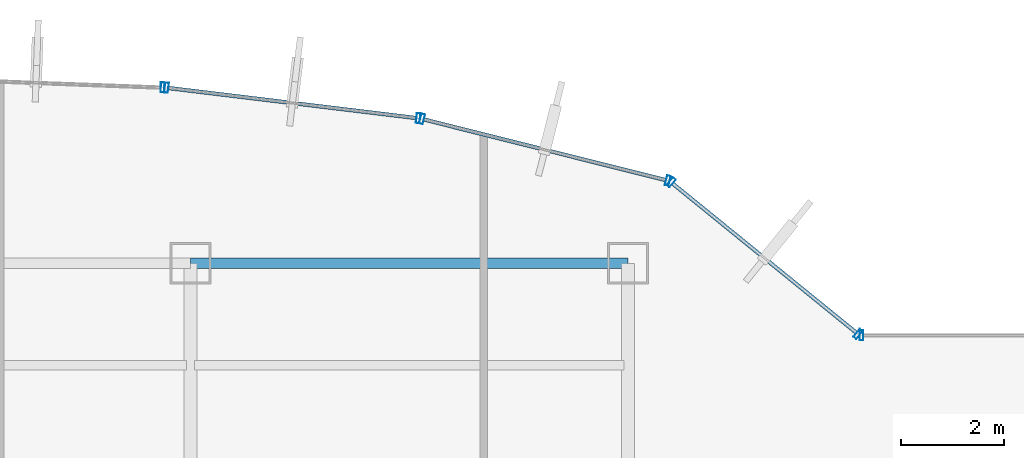
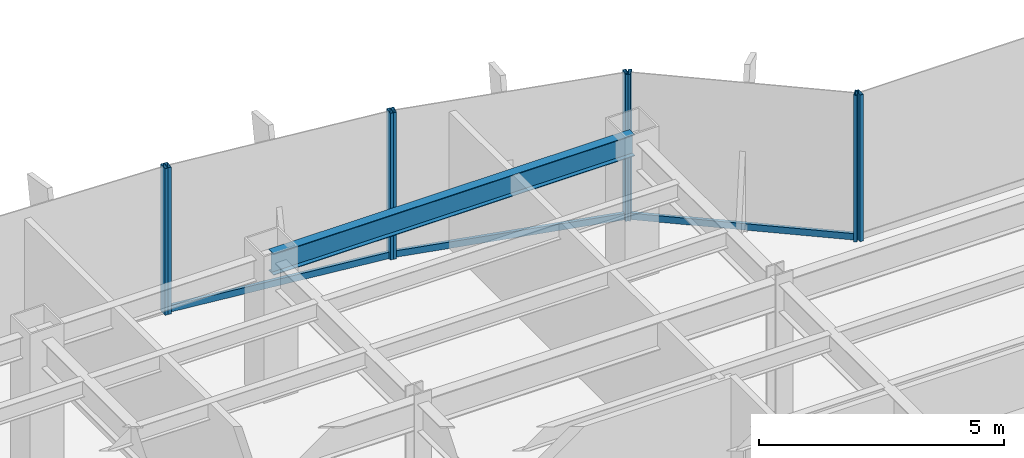
# One storey, part 18 of 26: 11 members, 1 beam, 5 elements without a shape of their own.
"""IFC4 building model written with IfcOpenShell, lengths in metres."""

from ifc_helpers import new_model, si_unit, derived_unit, direction, frame, origin, origin_2d, place, context, subcontext, project, spatial, hollow_rectangle, i_section, extrude, source, transform, mapped, material, material_profile, profile_set, type_object, element, aggregate, save


model = new_model("IFC4")

# Units and contexts
model_context = context("Model", 3, precision=1e-05, world=origin(), true_north=direction((0.0, 1.0)))
body_context = subcontext(model_context, "Body", "Model", "MODEL_VIEW")
ifc_project = project(units=[si_unit("LENGTHUNIT", "METRE"), si_unit("AREAUNIT", "SQUARE_METRE"), si_unit("VOLUMEUNIT", "CUBIC_METRE"), si_unit("PLANEANGLEUNIT", "RADIAN"), si_unit("MASSUNIT", "GRAM", prefix="KILO"), derived_unit("THERMALTRANSMITTANCEUNIT", [(si_unit("POWERUNIT", "WATT"), 1), (si_unit("LENGTHUNIT", "METRE"), -2), (si_unit("THERMODYNAMICTEMPERATUREUNIT", "KELVIN"), -1)])], contexts=[model_context])

# Site, building, storey
site_placement = place(None, origin())
site = spatial("IfcSite", under=ifc_project, at=site_placement, CompositionType="ELEMENT")
building_placement = place(site_placement, origin())
building = spatial("IfcBuilding", under=site, at=building_placement, Name="Skarnbrae Concourse Arena and Tower", CompositionType="ELEMENT")
storey_placement = place(building_placement, frame((0.0, 0.0, 121.5)))
storey = spatial("IfcBuildingStorey", under=building, at=storey_placement, Name="L30", CompositionType="ELEMENT", Elevation=121.5)

# Beam
ifc_material_1 = material(Name="Steel CSA G40.21 350W", Category="steel")
ifc_material_profile_1 = material_profile(ifc_material_1, i_section(OverallWidth=0.208984375, OverallDepth=0.532958984375, WebThickness=0.01025390625, FlangeThickness=0.015625, at=origin_2d()), Name="W530X92")
ifc_profile_set_1 = profile_set([ifc_material_profile_1], Name="Steel CSA G40.21 350W")
beam_type = type_object("IfcBeamType", Name="BM-SPAN-W530X92", PredefinedType="SPANDREL", material=ifc_profile_set_1)
shared_shape_1 = source(origin(), body_context, "Body", "SweptSolid", [
    extrude(i_section(OverallWidth=0.208984375, OverallDepth=0.532958984375, WebThickness=0.01025390625, FlangeThickness=0.015625, at=origin_2d()), origin(), (0.0, 0.0, 1.0), 8.5),
])
beam_placement = place(storey_placement, frame((33.5, 40.39990234375, 3.133544921875), z_axis=(1.0, 0.0, 0.0), x_axis=(0.0, 1.0, 0.0)))
element("IfcBeam", 1, at=beam_placement, inside=storey, type_object=beam_type, Name="L30 Perimeter spandrel Y40.4-4", PredefinedType="SPANDREL", context=body_context, shape_type="MappedRepresentation", body=[
    mapped(shared_shape_1, transform((0.0, 0.0, 0.0))),
])

# Curtain wall, member
ifc_material_2 = material(Name="Bronze anodised aluminium 6063-T6", Category="aluminium")
curtain_wall_type = type_object("IfcCurtainWallType", Name="CW-SYS-04-MIDZONE", PredefinedType="USERDEFINED", material=ifc_material_2)
curtain_wall_1_placement = place(storey_placement, origin())
curtain_wall_1 = element("IfcCurtainWall", 2, at=curtain_wall_1_placement, inside=storey, type_object=curtain_wall_type, Name="L30 Unitised curtain wall CW-L30-E08", ObjectType="UNITISED CURTAIN WALL", PredefinedType="USERDEFINED")
ifc_material_profile_2 = material_profile(ifc_material_2, hollow_rectangle(XDim=0.074951171875, YDim=0.159912109375, WallThickness=0.00439453125, at=origin_2d()), Name="ALU-TRAN-75X160")
ifc_profile_set_2 = profile_set([ifc_material_profile_2], Name="Bronze anodised aluminium 6063-T6")
member_type_1 = type_object("IfcMemberType", Name="CWT-CW-04", PredefinedType="USERDEFINED", material=ifc_profile_set_2)
shared_shape_2 = source(origin(), body_context, "Body", "SweptSolid", [
    extrude(hollow_rectangle(XDim=0.074951171875, YDim=0.159912109375, WallThickness=0.00439453125, at=origin_2d()), origin(), (0.0, 0.0, 1.0), 4.602294921875),
])
member_1_placement = place(storey_placement, frame((46.44189453125, 39.04736328125, 0.080078125), z_axis=(-0.776251906445, 0.630422856297, 0.0), x_axis=(-0.630422856297, -0.776251906445, 0.0)))
member_1 = element("IfcMember", 3, at=member_1_placement, type_object=member_type_1, Name="CW-L30-E08 Transom 1", ObjectType="TRANSOM", PredefinedType="USERDEFINED", context=body_context, shape_type="MappedRepresentation", body=[
    mapped(shared_shape_2, transform((0.0, 0.0, 0.0))),
])

curtain_wall_2_placement = place(storey_placement, origin())
curtain_wall_2 = element("IfcCurtainWall", 4, at=curtain_wall_2_placement, inside=storey, type_object=curtain_wall_type, Name="L30 Unitised curtain wall CW-L30-E09", ObjectType="UNITISED CURTAIN WALL", PredefinedType="USERDEFINED")
shared_shape_3 = source(origin(), body_context, "Body", "SweptSolid", [
    extrude(hollow_rectangle(XDim=0.074951171875, YDim=0.159912109375, WallThickness=0.00439453125, at=origin_2d()), origin(), (0.0, 0.0, 1.0), 4.84716796875),
])
member_2_placement = place(storey_placement, frame((42.73828125, 42.014404296875, 0.080078125), z_axis=(-0.969907992238, 0.243471736744, 0.0), x_axis=(-0.243471736744, -0.969907992238, 0.0)))
member_2 = element("IfcMember", 5, at=member_2_placement, type_object=member_type_1, Name="CW-L30-E09 Transom 1", ObjectType="TRANSOM", PredefinedType="USERDEFINED", context=body_context, shape_type="MappedRepresentation", body=[
    mapped(shared_shape_3, transform((0.0, 0.0, 0.0))),
])

curtain_wall_3_placement = place(storey_placement, origin())
curtain_wall_3 = element("IfcCurtainWall", 6, at=curtain_wall_3_placement, inside=storey, type_object=curtain_wall_type, Name="L30 Unitised curtain wall CW-L30-E10", ObjectType="UNITISED CURTAIN WALL", PredefinedType="USERDEFINED")
shared_shape_4 = source(origin(), body_context, "Body", "SweptSolid", [
    extrude(hollow_rectangle(XDim=0.074951171875, YDim=0.159912109375, WallThickness=0.00439453125, at=origin_2d()), origin(), (0.0, 0.0, 1.0), 4.851318359375),
])
member_3_placement = place(storey_placement, frame((37.8896484375, 43.2216796875, 0.080078125), z_axis=(-0.992746710317, 0.120224661172, 0.0), x_axis=(-0.120224661172, -0.992746710317, 0.0)))
member_3 = element("IfcMember", 7, at=member_3_placement, type_object=member_type_1, Name="CW-L30-E10 Transom 1", ObjectType="TRANSOM", PredefinedType="USERDEFINED", context=body_context, shape_type="MappedRepresentation", body=[
    mapped(shared_shape_4, transform((0.0, 0.0, 0.0))),
])

curtain_wall_4_placement = place(storey_placement, origin())
curtain_wall_4 = element("IfcCurtainWall", 8, at=curtain_wall_4_placement, inside=storey, type_object=curtain_wall_type, Name="L30 Unitised curtain wall CW-L30-E07", ObjectType="UNITISED CURTAIN WALL", PredefinedType="USERDEFINED")
ifc_material_profile_3 = material_profile(ifc_material_2, hollow_rectangle(XDim=0.074951171875, YDim=0.195068359375, WallThickness=0.00439453125, at=origin_2d()), Name="ALU-MULL-75X195")
ifc_profile_set_3 = profile_set([ifc_material_profile_3], Name="Bronze anodised aluminium 6063-T6")
member_type_2 = type_object("IfcMemberType", Name="CWM-CW-04", PredefinedType="MULLION", material=ifc_profile_set_3)
shared_shape_5 = source(origin(), body_context, "Body", "SweptSolid", [
    extrude(hollow_rectangle(XDim=0.074951171875, YDim=0.195068359375, WallThickness=0.00439453125, at=origin_2d()), origin(), (0.0, 0.0, 1.0), 3.64990234375),
])
member_4_placement = place(storey_placement, frame((46.53759765625, 39.0, 0.0), z_axis=(0.0, 0.0, 1.0), x_axis=(-1.0, 0.0, 0.0)))
member_4 = element("IfcMember", 9, at=member_4_placement, type_object=member_type_2, Name="CW-L30-E07 Mullion 2", PredefinedType="MULLION", context=body_context, shape_type="MappedRepresentation", body=[
    mapped(shared_shape_5, transform((0.0, 0.0, 0.0))),
])
aggregate(curtain_wall_4, [member_4])

# Member
member_5_placement = place(storey_placement, frame((46.470947265625, 39.023681640625, 0.0), z_axis=(0.0, 0.0, 1.0), x_axis=(-0.776241200471, 0.630436038542, 0.0)))
member_5 = element("IfcMember", 10, at=member_5_placement, type_object=member_type_2, Name="CW-L30-E08 Mullion 1", PredefinedType="MULLION", context=body_context, shape_type="MappedRepresentation", body=[
    mapped(shared_shape_5, transform((0.0, 0.0, 0.0))),
])

member_6_placement = place(storey_placement, frame((42.840087890625, 41.972412109375, 0.0), z_axis=(0.0, 0.0, 1.0), x_axis=(-0.776241200471, 0.630436038542, 0.0)))
member_6 = element("IfcMember", 11, at=member_6_placement, type_object=member_type_2, Name="CW-L30-E08 Mullion 2", PredefinedType="MULLION", context=body_context, shape_type="MappedRepresentation", body=[
    mapped(shared_shape_5, transform((0.0, 0.0, 0.0))),
])

aggregate(curtain_wall_1, [member_5, member_6, member_1])

member_7_placement = place(storey_placement, frame((42.774658203125, 42.005126953125, 0.0), z_axis=(0.0, 0.0, 1.0), x_axis=(-0.969903046166, 0.243491439351, 0.0)))
member_7 = element("IfcMember", 12, at=member_7_placement, type_object=member_type_2, Name="CW-L30-E09 Mullion 1", PredefinedType="MULLION", context=body_context, shape_type="MappedRepresentation", body=[
    mapped(shared_shape_5, transform((0.0, 0.0, 0.0))),
])

member_8_placement = place(storey_placement, frame((38.00048828125, 43.20361328125, 0.0), z_axis=(0.0, 0.0, 1.0), x_axis=(-0.969903046166, 0.243491439351, 0.0)))
member_8 = element("IfcMember", 13, at=member_8_placement, type_object=member_type_2, Name="CW-L30-E09 Mullion 2", PredefinedType="MULLION", context=body_context, shape_type="MappedRepresentation", body=[
    mapped(shared_shape_5, transform((0.0, 0.0, 0.0))),
])

aggregate(curtain_wall_2, [member_7, member_8, member_2])

member_9_placement = place(storey_placement, frame((37.927001953125, 43.21728515625, 0.0), z_axis=(0.0, 0.0, 1.0), x_axis=(-0.992749371969, 0.120202680731, 0.0)))
member_9 = element("IfcMember", 14, at=member_9_placement, type_object=member_type_2, Name="CW-L30-E10 Mullion 1", PredefinedType="MULLION", context=body_context, shape_type="MappedRepresentation", body=[
    mapped(shared_shape_5, transform((0.0, 0.0, 0.0))),
])

member_10_placement = place(storey_placement, frame((33.0361328125, 43.8095703125, 0.0), z_axis=(0.0, 0.0, 1.0), x_axis=(-0.992749371969, 0.120202680731, 0.0)))
member_10 = element("IfcMember", 15, at=member_10_placement, type_object=member_type_2, Name="CW-L30-E10 Mullion 2", PredefinedType="MULLION", context=body_context, shape_type="MappedRepresentation", body=[
    mapped(shared_shape_5, transform((0.0, 0.0, 0.0))),
])

aggregate(curtain_wall_3, [member_9, member_10, member_3])

# Curtain wall, member
curtain_wall_5_placement = place(storey_placement, origin())
curtain_wall_5 = element("IfcCurtainWall", 16, at=curtain_wall_5_placement, inside=storey, type_object=curtain_wall_type, Name="L30 Unitised curtain wall CW-L30-E11", ObjectType="UNITISED CURTAIN WALL", PredefinedType="USERDEFINED")
member_11_placement = place(storey_placement, frame((32.96142578125, 43.8154296875, 0.0), z_axis=(0.0, 0.0, 1.0), x_axis=(-0.999308486252, 0.037182647889, 0.0)))
member_11 = element("IfcMember", 17, at=member_11_placement, type_object=member_type_2, Name="CW-L30-E11 Mullion 1", PredefinedType="MULLION", context=body_context, shape_type="MappedRepresentation", body=[
    mapped(shared_shape_5, transform((0.0, 0.0, 0.0))),
])
aggregate(curtain_wall_5, [member_11])

save(model, "model.ifc")
